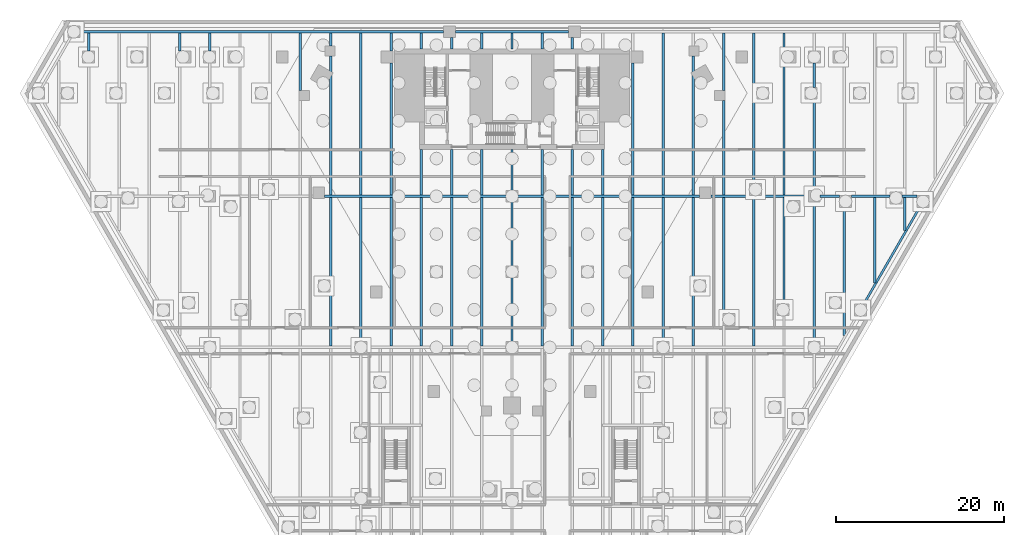
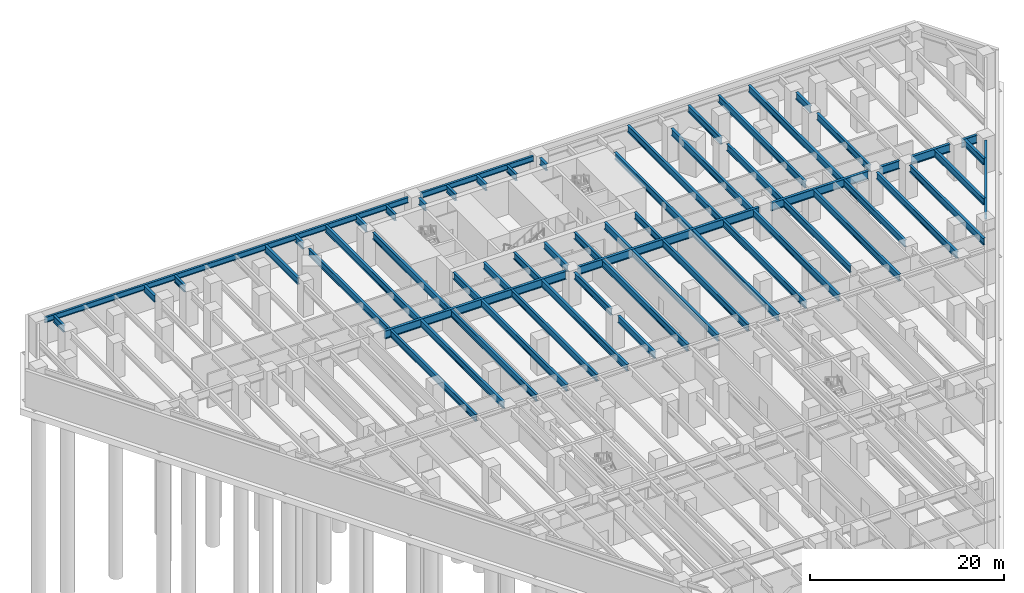
# One storey, part 5 of 18: 61 beams.
"""IFC4 building model written with IfcOpenShell, lengths in metres."""

from ifc_helpers import new_model, si_unit, direction, frame, origin, origin_2d, place, context, subcontext, project, spatial, i_section, extrude, material, material_profile, profile_set, type_object, element, save


model = new_model("IFC4")

# Units and contexts
model_context = context("Model", 3, precision=1e-05, world=origin(), true_north=direction((0.0, 1.0)))
body_context = subcontext(model_context, "Body", "Model", "MODEL_VIEW")
ifc_project = project(units=[si_unit("LENGTHUNIT", "METRE"), si_unit("AREAUNIT", "SQUARE_METRE"), si_unit("VOLUMEUNIT", "CUBIC_METRE"), si_unit("PLANEANGLEUNIT", "RADIAN"), si_unit("MASSUNIT", "GRAM", prefix="KILO")], contexts=[model_context])

# Site, building, storey
site_placement = place(None, origin())
site = spatial("IfcSite", under=ifc_project, at=site_placement, CompositionType="ELEMENT")
building_placement = place(site_placement, origin())
building = spatial("IfcBuilding", under=site, at=building_placement, Name="Aloe Facet Convention Tower", CompositionType="ELEMENT")
storey_placement = place(building_placement, frame((0.0, 0.0, -9.0)))
storey = spatial("IfcBuildingStorey", under=building, at=storey_placement, Name="B2", CompositionType="ELEMENT", Elevation=-9.0)

# Beams
ifc_material_1 = material(Name="Steel S355", Category="steel")
ifc_material_profile_1 = material_profile(ifc_material_1, i_section(OverallWidth=0.305419921875, OverallDepth=1.02587890625, WebThickness=0.02001953125, FlangeThickness=0.031005859375, FilletRadius=0.030029296875, at=origin_2d()), Name="UB 1016x305x349")
ifc_profile_set_1 = profile_set([ifc_material_profile_1], Name="Steel S355")
beam_type_1 = type_object("IfcBeamType", Name="SF-B-UB1016x305x349", PredefinedType="BEAM", material=ifc_profile_set_1)
for number, where, z_axis, x_axis, name in (
    (1, (57.68408203125, 117.0, 3.737060546875), (1.0, 0.0, 0.0), (0.0, 1.0, 0.0), "Floor beam FB-B1-028"),
    (2, (80.699951171875, 117.0, 3.737060546875), (1.0, 0.0, 0.0), (0.0, 1.0, 0.0), "Floor beam FB-B1-038"),
):
    element("IfcBeam", number, at=place(storey_placement, frame(where, z_axis=z_axis, x_axis=x_axis)), inside=storey, type_object=beam_type_1, Name=name, PredefinedType="BEAM", context=body_context, shape_type="SweptSolid", body=[
        extrude(i_section(OverallWidth=0.305419921875, OverallDepth=1.02587890625, WebThickness=0.02001953125, FlangeThickness=0.031005859375, FilletRadius=0.030029296875, at=origin_2d()), origin(), (0.0, 0.0, 1.0), 21.615966796875),
    ])
beam_1_placement = place(storey_placement, frame((103.716064453125, 117.0, 3.737060546875), z_axis=(1.0, 0.0, 0.0), x_axis=(0.0, 1.0, 0.0)))
element("IfcBeam", 3, at=beam_1_placement, inside=storey, type_object=beam_type_1, Name="Floor beam FB-B1-042", PredefinedType="BEAM", context=body_context, shape_type="SweptSolid", body=[
    extrude(i_section(OverallWidth=0.305419921875, OverallDepth=1.02587890625, WebThickness=0.02001953125, FlangeThickness=0.031005859375, FilletRadius=0.030029296875, at=origin_2d()), origin(), (0.0, 0.0, 1.0), 11.583984375),
])
beam_2_placement = place(storey_placement, frame((116.699951171875, 117.0, 3.737060546875), z_axis=(1.0, 0.0, 0.0), x_axis=(0.0, 1.0, 0.0)))
element("IfcBeam", 4, at=beam_2_placement, inside=storey, type_object=beam_type_1, Name="Floor beam FB-B1-044", PredefinedType="BEAM", context=body_context, shape_type="SweptSolid", body=[
    extrude(i_section(OverallWidth=0.305419921875, OverallDepth=1.02587890625, WebThickness=0.02001953125, FlangeThickness=0.031005859375, FilletRadius=0.030029296875, at=origin_2d()), origin(), (0.0, 0.0, 1.0), 2.330078125),
])
beam_3_placement = place(storey_placement, frame((120.429931640625, 117.0, 3.737060546875), z_axis=(1.0, 0.0, 0.0), x_axis=(0.0, 1.0, 0.0)))
element("IfcBeam", 5, at=beam_3_placement, inside=storey, type_object=beam_type_1, Name="Floor beam FB-B1-045", PredefinedType="BEAM", context=body_context, shape_type="SweptSolid", body=[
    extrude(i_section(OverallWidth=0.305419921875, OverallDepth=1.02587890625, WebThickness=0.02001953125, FlangeThickness=0.031005859375, FilletRadius=0.030029296875, at=origin_2d()), origin(), (0.0, 0.0, 1.0), 4.612060546875),
])
beam_4_placement = place(storey_placement, frame((126.44189453125, 117.0, 3.737060546875), z_axis=(1.0, 0.0, 0.0), x_axis=(0.0, 1.0, 0.0)))
element("IfcBeam", 6, at=beam_4_placement, inside=storey, type_object=beam_type_1, Name="Floor beam FB-B1-046", PredefinedType="BEAM", context=body_context, shape_type="SweptSolid", body=[
    extrude(i_section(OverallWidth=0.305419921875, OverallDepth=1.02587890625, WebThickness=0.02001953125, FlangeThickness=0.031005859375, FilletRadius=0.030029296875, at=origin_2d()), origin(), (0.0, 0.0, 1.0), 1.817138671875),
])
ifc_material_2 = material(Name="Steel S355", Category="steel")
ifc_material_profile_2 = material_profile(ifc_material_2, i_section(OverallWidth=0.25439453125, OverallDepth=0.6875, WebThickness=0.01318359375, FlangeThickness=0.02099609375, FilletRadius=0.01513671875, at=origin_2d()), Name="UB 686x254x152")
ifc_profile_set_2 = profile_set([ifc_material_profile_2], Name="Steel S355")
beam_type_2 = type_object("IfcBeamType", Name="SF-B-UB686x254x152", PredefinedType="BEAM", material=ifc_profile_set_2)
beam_5_placement = place(storey_placement, frame((28.509033203125, 136.60009765625, 3.90625), z_axis=(1.0, 0.0, 0.0), x_axis=(0.0, 1.0, 0.0)))
element("IfcBeam", 7, at=beam_5_placement, inside=storey, type_object=beam_type_2, Name="Floor beam FB-B1-002", PredefinedType="BEAM", context=body_context, shape_type="SweptSolid", body=[
    extrude(i_section(OverallWidth=0.25439453125, OverallDepth=0.6875, WebThickness=0.01318359375, FlangeThickness=0.02099609375, FilletRadius=0.01513671875, at=origin_2d()), origin(), (0.0, 0.0, 1.0), 43.3349609375),
])
beam_6_placement = place(storey_placement, frame((73.243896484375, 136.60009765625, 3.90625), z_axis=(1.0, 0.0, 0.0), x_axis=(0.0, 1.0, 0.0)))
element("IfcBeam", 8, at=beam_6_placement, inside=storey, type_object=beam_type_2, Name="Floor beam FB-B1-009", PredefinedType="BEAM", context=body_context, shape_type="SweptSolid", body=[
    extrude(i_section(OverallWidth=0.25439453125, OverallDepth=0.6875, WebThickness=0.01318359375, FlangeThickness=0.02099609375, FilletRadius=0.01513671875, at=origin_2d()), origin(), (0.0, 0.0, 1.0), 13.51220703125),
])
beam_7_placement = place(storey_placement, frame((128.554931640625, 115.669921875, 3.90625), z_axis=(-0.50000804238, -0.866020760464, 0.0), x_axis=(0.866020760464, -0.50000804238, 0.0)))
element("IfcBeam", 9, at=beam_7_placement, inside=storey, type_object=beam_type_2, Name="Floor beam FB-B1-018", PredefinedType="BEAM", context=body_context, shape_type="SweptSolid", body=[
    extrude(i_section(OverallWidth=0.25439453125, OverallDepth=0.6875, WebThickness=0.01318359375, FlangeThickness=0.02099609375, FilletRadius=0.01513671875, at=origin_2d()), origin(), (0.0, 0.0, 1.0), 13.295166015625),
])
ifc_material_3 = material(Name="Steel S355", Category="steel")
ifc_material_profile_3 = material_profile(ifc_material_3, i_section(OverallWidth=0.293701171875, OverallDepth=0.850830078125, WebThickness=0.01611328125, FlangeThickness=0.02685546875, FilletRadius=0.017822265625, at=origin_2d()), Name="UB 838x292x226")
ifc_profile_set_3 = profile_set([ifc_material_profile_3], Name="Steel S355")
beam_type_3 = type_object("IfcBeamType", Name="SF-B-UB838x292x226", PredefinedType="BEAM", material=ifc_profile_set_3)
for number, where, z_axis, x_axis, name in (
    (10, (29.60009765625, 134.300048828125, 3.82470703125), (0.0, 1.0, 0.0), (-1.0, 0.0, 0.0), "Floor beam FB-B1-049"),
    (11, (40.39990234375, 134.300048828125, 3.82470703125), (0.0, 1.0, 0.0), (-1.0, 0.0, 0.0), "Floor beam FB-B1-057"),
    (12, (44.0, 134.300048828125, 3.82470703125), (0.0, 1.0, 0.0), (-1.0, 0.0, 0.0), "Floor beam FB-B1-062"),
):
    element("IfcBeam", number, at=place(storey_placement, frame(where, z_axis=z_axis, x_axis=x_axis)), inside=storey, type_object=beam_type_3, Name=name, PredefinedType="BEAM", context=body_context, shape_type="SweptSolid", body=[
        extrude(i_section(OverallWidth=0.293701171875, OverallDepth=0.850830078125, WebThickness=0.01611328125, FlangeThickness=0.02685546875, FilletRadius=0.017822265625, at=origin_2d()), origin(), (0.0, 0.0, 1.0), 2.16259765625),
    ])
beam_8_placement = place(storey_placement, frame((54.800048828125, 129.6279296875, 3.82470703125), z_axis=(0.0, 1.0, 0.0), x_axis=(-1.0, 0.0, 0.0)))
element("IfcBeam", 13, at=beam_8_placement, inside=storey, type_object=beam_type_3, Name="Floor beam FB-B1-076", PredefinedType="BEAM", context=body_context, shape_type="SweptSolid", body=[
    extrude(i_section(OverallWidth=0.293701171875, OverallDepth=0.850830078125, WebThickness=0.01611328125, FlangeThickness=0.02685546875, FilletRadius=0.017822265625, at=origin_2d()), origin(), (0.0, 0.0, 1.0), 6.834716796875),
])
beam_9_placement = place(storey_placement, frame((58.39990234375, 99.152587890625, 3.82470703125), z_axis=(0.0, 1.0, 0.0), x_axis=(-1.0, 0.0, 0.0)))
element("IfcBeam", 14, at=beam_9_placement, inside=storey, type_object=beam_type_3, Name="Floor beam FB-B1-079", PredefinedType="BEAM", context=body_context, shape_type="SweptSolid", body=[
    extrude(i_section(OverallWidth=0.293701171875, OverallDepth=0.850830078125, WebThickness=0.01611328125, FlangeThickness=0.02685546875, FilletRadius=0.017822265625, at=origin_2d()), origin(), (0.0, 0.0, 1.0), 17.69482421875),
])
beam_10_placement = place(storey_placement, frame((58.39990234375, 117.152587890625, 3.82470703125), z_axis=(0.0, 1.0, 0.0), x_axis=(-1.0, 0.0, 0.0)))
element("IfcBeam", 15, at=beam_10_placement, inside=storey, type_object=beam_type_3, Name="Floor beam FB-B1-080", PredefinedType="BEAM", context=body_context, shape_type="SweptSolid", body=[
    extrude(i_section(OverallWidth=0.293701171875, OverallDepth=0.850830078125, WebThickness=0.01611328125, FlangeThickness=0.02685546875, FilletRadius=0.017822265625, at=origin_2d()), origin(), (0.0, 0.0, 1.0), 16.54736328125),
])
beam_11_placement = place(storey_placement, frame((58.39990234375, 134.89990234375, 3.82470703125), z_axis=(0.0, 1.0, 0.0), x_axis=(-1.0, 0.0, 0.0)))
element("IfcBeam", 16, at=beam_11_placement, inside=storey, type_object=beam_type_3, Name="Floor beam FB-B1-081", PredefinedType="BEAM", context=body_context, shape_type="SweptSolid", body=[
    extrude(i_section(OverallWidth=0.293701171875, OverallDepth=0.850830078125, WebThickness=0.01611328125, FlangeThickness=0.02685546875, FilletRadius=0.017822265625, at=origin_2d()), origin(), (0.0, 0.0, 1.0), 1.562744140625),
])
beam_12_placement = place(storey_placement, frame((62.0, 99.699951171875, 3.82470703125), z_axis=(0.0, 1.0, 0.0), x_axis=(-1.0, 0.0, 0.0)))
element("IfcBeam", 17, at=beam_12_placement, inside=storey, type_object=beam_type_3, Name="Floor beam FB-B1-088", PredefinedType="BEAM", context=body_context, shape_type="SweptSolid", body=[
    extrude(i_section(OverallWidth=0.293701171875, OverallDepth=0.850830078125, WebThickness=0.01611328125, FlangeThickness=0.02685546875, FilletRadius=0.017822265625, at=origin_2d()), origin(), (0.0, 0.0, 1.0), 17.1474609375),
])
beam_13_placement = place(storey_placement, frame((62.0, 117.152587890625, 3.82470703125), z_axis=(0.0, 1.0, 0.0), x_axis=(-1.0, 0.0, 0.0)))
element("IfcBeam", 18, at=beam_13_placement, inside=storey, type_object=beam_type_3, Name="Floor beam FB-B1-089", PredefinedType="BEAM", context=body_context, shape_type="SweptSolid", body=[
    extrude(i_section(OverallWidth=0.293701171875, OverallDepth=0.850830078125, WebThickness=0.01611328125, FlangeThickness=0.02685546875, FilletRadius=0.017822265625, at=origin_2d()), origin(), (0.0, 0.0, 1.0), 19.31005859375),
])
beam_14_placement = place(storey_placement, frame((65.60009765625, 99.152587890625, 3.82470703125), z_axis=(0.0, 1.0, 0.0), x_axis=(-1.0, 0.0, 0.0)))
element("IfcBeam", 19, at=beam_14_placement, inside=storey, type_object=beam_type_3, Name="Floor beam FB-B1-094", PredefinedType="BEAM", context=body_context, shape_type="SweptSolid", body=[
    extrude(i_section(OverallWidth=0.293701171875, OverallDepth=0.850830078125, WebThickness=0.01611328125, FlangeThickness=0.02685546875, FilletRadius=0.017822265625, at=origin_2d()), origin(), (0.0, 0.0, 1.0), 17.69482421875),
])
beam_15_placement = place(storey_placement, frame((65.60009765625, 117.152587890625, 3.82470703125), z_axis=(0.0, 1.0, 0.0), x_axis=(-1.0, 0.0, 0.0)))
element("IfcBeam", 20, at=beam_15_placement, inside=storey, type_object=beam_type_3, Name="Floor beam FB-B1-095", PredefinedType="BEAM", context=body_context, shape_type="SweptSolid", body=[
    extrude(i_section(OverallWidth=0.293701171875, OverallDepth=0.850830078125, WebThickness=0.01611328125, FlangeThickness=0.02685546875, FilletRadius=0.017822265625, at=origin_2d()), origin(), (0.0, 0.0, 1.0), 15.747314453125),
])
beam_16_placement = place(storey_placement, frame((65.60009765625, 134.300048828125, 3.82470703125), z_axis=(0.0, 1.0, 0.0), x_axis=(-1.0, 0.0, 0.0)))
element("IfcBeam", 21, at=beam_16_placement, inside=storey, type_object=beam_type_3, Name="Floor beam FB-B1-096", PredefinedType="BEAM", context=body_context, shape_type="SweptSolid", body=[
    extrude(i_section(OverallWidth=0.293701171875, OverallDepth=0.850830078125, WebThickness=0.01611328125, FlangeThickness=0.02685546875, FilletRadius=0.017822265625, at=origin_2d()), origin(), (0.0, 0.0, 1.0), 2.16259765625),
])
beam_17_placement = place(storey_placement, frame((69.199951171875, 99.152587890625, 3.82470703125), z_axis=(0.0, 1.0, 0.0), x_axis=(-1.0, 0.0, 0.0)))
element("IfcBeam", 22, at=beam_17_placement, inside=storey, type_object=beam_type_3, Name="Floor beam FB-B1-102", PredefinedType="BEAM", context=body_context, shape_type="SweptSolid", body=[
    extrude(i_section(OverallWidth=0.293701171875, OverallDepth=0.850830078125, WebThickness=0.01611328125, FlangeThickness=0.02685546875, FilletRadius=0.017822265625, at=origin_2d()), origin(), (0.0, 0.0, 1.0), 17.69482421875),
])
beam_18_placement = place(storey_placement, frame((69.199951171875, 117.152587890625, 3.82470703125), z_axis=(0.0, 1.0, 0.0), x_axis=(-1.0, 0.0, 0.0)))
element("IfcBeam", 23, at=beam_18_placement, inside=storey, type_object=beam_type_3, Name="Floor beam FB-B1-103", PredefinedType="BEAM", context=body_context, shape_type="SweptSolid", body=[
    extrude(i_section(OverallWidth=0.293701171875, OverallDepth=0.850830078125, WebThickness=0.01611328125, FlangeThickness=0.02685546875, FilletRadius=0.017822265625, at=origin_2d()), origin(), (0.0, 0.0, 1.0), 5.3974609375),
])
beam_19_placement = place(storey_placement, frame((69.199951171875, 134.550048828125, 3.82470703125), z_axis=(0.0, 1.0, 0.0), x_axis=(-1.0, 0.0, 0.0)))
element("IfcBeam", 24, at=beam_19_placement, inside=storey, type_object=beam_type_3, Name="Floor beam FB-B1-104", PredefinedType="BEAM", context=body_context, shape_type="SweptSolid", body=[
    extrude(i_section(OverallWidth=0.293701171875, OverallDepth=0.850830078125, WebThickness=0.01611328125, FlangeThickness=0.02685546875, FilletRadius=0.017822265625, at=origin_2d()), origin(), (0.0, 0.0, 1.0), 1.91259765625),
])
beam_20_placement = place(storey_placement, frame((72.800048828125, 99.152587890625, 3.82470703125), z_axis=(0.0, 1.0, 0.0), x_axis=(-1.0, 0.0, 0.0)))
element("IfcBeam", 25, at=beam_20_placement, inside=storey, type_object=beam_type_3, Name="Floor beam FB-B1-108", PredefinedType="BEAM", context=body_context, shape_type="SweptSolid", body=[
    extrude(i_section(OverallWidth=0.293701171875, OverallDepth=0.850830078125, WebThickness=0.01611328125, FlangeThickness=0.02685546875, FilletRadius=0.017822265625, at=origin_2d()), origin(), (0.0, 0.0, 1.0), 17.69482421875),
])
beam_21_placement = place(storey_placement, frame((72.800048828125, 117.152587890625, 3.82470703125), z_axis=(0.0, 1.0, 0.0), x_axis=(-1.0, 0.0, 0.0)))
element("IfcBeam", 26, at=beam_21_placement, inside=storey, type_object=beam_type_3, Name="Floor beam FB-B1-109", PredefinedType="BEAM", context=body_context, shape_type="SweptSolid", body=[
    extrude(i_section(OverallWidth=0.293701171875, OverallDepth=0.850830078125, WebThickness=0.01611328125, FlangeThickness=0.02685546875, FilletRadius=0.017822265625, at=origin_2d()), origin(), (0.0, 0.0, 1.0), 5.3974609375),
])
beam_22_placement = place(storey_placement, frame((72.800048828125, 134.550048828125, 3.82470703125), z_axis=(0.0, 1.0, 0.0), x_axis=(-1.0, 0.0, 0.0)))
element("IfcBeam", 27, at=beam_22_placement, inside=storey, type_object=beam_type_3, Name="Floor beam FB-B1-110", PredefinedType="BEAM", context=body_context, shape_type="SweptSolid", body=[
    extrude(i_section(OverallWidth=0.293701171875, OverallDepth=0.850830078125, WebThickness=0.01611328125, FlangeThickness=0.02685546875, FilletRadius=0.017822265625, at=origin_2d()), origin(), (0.0, 0.0, 1.0), 1.349853515625),
])
beam_23_placement = place(storey_placement, frame((76.39990234375, 99.152587890625, 3.82470703125), z_axis=(0.0, 1.0, 0.0), x_axis=(-1.0, 0.0, 0.0)))
element("IfcBeam", 28, at=beam_23_placement, inside=storey, type_object=beam_type_3, Name="Floor beam FB-B1-116", PredefinedType="BEAM", context=body_context, shape_type="SweptSolid", body=[
    extrude(i_section(OverallWidth=0.293701171875, OverallDepth=0.850830078125, WebThickness=0.01611328125, FlangeThickness=0.02685546875, FilletRadius=0.017822265625, at=origin_2d()), origin(), (0.0, 0.0, 1.0), 17.69482421875),
])
beam_24_placement = place(storey_placement, frame((76.39990234375, 117.152587890625, 3.82470703125), z_axis=(0.0, 1.0, 0.0), x_axis=(-1.0, 0.0, 0.0)))
element("IfcBeam", 29, at=beam_24_placement, inside=storey, type_object=beam_type_3, Name="Floor beam FB-B1-117", PredefinedType="BEAM", context=body_context, shape_type="SweptSolid", body=[
    extrude(i_section(OverallWidth=0.293701171875, OverallDepth=0.850830078125, WebThickness=0.01611328125, FlangeThickness=0.02685546875, FilletRadius=0.017822265625, at=origin_2d()), origin(), (0.0, 0.0, 1.0), 5.3974609375),
])
beam_25_placement = place(storey_placement, frame((76.39990234375, 134.550048828125, 3.82470703125), z_axis=(0.0, 1.0, 0.0), x_axis=(-1.0, 0.0, 0.0)))
element("IfcBeam", 30, at=beam_25_placement, inside=storey, type_object=beam_type_3, Name="Floor beam FB-B1-118", PredefinedType="BEAM", context=body_context, shape_type="SweptSolid", body=[
    extrude(i_section(OverallWidth=0.293701171875, OverallDepth=0.850830078125, WebThickness=0.01611328125, FlangeThickness=0.02685546875, FilletRadius=0.017822265625, at=origin_2d()), origin(), (0.0, 0.0, 1.0), 1.91259765625),
])
for number, where, z_axis, x_axis, name in (
    (31, (80.0, 99.699951171875, 3.82470703125), (0.0, 1.0, 0.0), (-1.0, 0.0, 0.0), "Floor beam FB-B1-123"),
    (32, (80.0, 108.699951171875, 3.82470703125), (0.0, 1.0, 0.0), (-1.0, 0.0, 0.0), "Floor beam FB-B1-124"),
):
    element("IfcBeam", number, at=place(storey_placement, frame(where, z_axis=z_axis, x_axis=x_axis)), inside=storey, type_object=beam_type_3, Name=name, PredefinedType="BEAM", context=body_context, shape_type="SweptSolid", body=[
        extrude(i_section(OverallWidth=0.293701171875, OverallDepth=0.850830078125, WebThickness=0.01611328125, FlangeThickness=0.02685546875, FilletRadius=0.017822265625, at=origin_2d()), origin(), (0.0, 0.0, 1.0), 7.60009765625),
    ])
beam_26_placement = place(storey_placement, frame((80.0, 117.699951171875, 3.82470703125), z_axis=(0.0, 1.0, 0.0), x_axis=(-1.0, 0.0, 0.0)))
element("IfcBeam", 33, at=beam_26_placement, inside=storey, type_object=beam_type_3, Name="Floor beam FB-B1-125", PredefinedType="BEAM", context=body_context, shape_type="SweptSolid", body=[
    extrude(i_section(OverallWidth=0.293701171875, OverallDepth=0.850830078125, WebThickness=0.01611328125, FlangeThickness=0.02685546875, FilletRadius=0.017822265625, at=origin_2d()), origin(), (0.0, 0.0, 1.0), 4.85009765625),
])
beam_27_placement = place(storey_placement, frame((80.0, 134.550048828125, 3.82470703125), z_axis=(0.0, 1.0, 0.0), x_axis=(-1.0, 0.0, 0.0)))
element("IfcBeam", 34, at=beam_27_placement, inside=storey, type_object=beam_type_3, Name="Floor beam FB-B1-126", PredefinedType="BEAM", context=body_context, shape_type="SweptSolid", body=[
    extrude(i_section(OverallWidth=0.293701171875, OverallDepth=0.850830078125, WebThickness=0.01611328125, FlangeThickness=0.02685546875, FilletRadius=0.017822265625, at=origin_2d()), origin(), (0.0, 0.0, 1.0), 1.91259765625),
])
beam_28_placement = place(storey_placement, frame((83.60009765625, 99.152587890625, 3.82470703125), z_axis=(0.0, 1.0, 0.0), x_axis=(-1.0, 0.0, 0.0)))
element("IfcBeam", 35, at=beam_28_placement, inside=storey, type_object=beam_type_3, Name="Floor beam FB-B1-132", PredefinedType="BEAM", context=body_context, shape_type="SweptSolid", body=[
    extrude(i_section(OverallWidth=0.293701171875, OverallDepth=0.850830078125, WebThickness=0.01611328125, FlangeThickness=0.02685546875, FilletRadius=0.017822265625, at=origin_2d()), origin(), (0.0, 0.0, 1.0), 17.69482421875),
])
beam_29_placement = place(storey_placement, frame((83.60009765625, 117.152587890625, 3.82470703125), z_axis=(0.0, 1.0, 0.0), x_axis=(-1.0, 0.0, 0.0)))
element("IfcBeam", 36, at=beam_29_placement, inside=storey, type_object=beam_type_3, Name="Floor beam FB-B1-133", PredefinedType="BEAM", context=body_context, shape_type="SweptSolid", body=[
    extrude(i_section(OverallWidth=0.293701171875, OverallDepth=0.850830078125, WebThickness=0.01611328125, FlangeThickness=0.02685546875, FilletRadius=0.017822265625, at=origin_2d()), origin(), (0.0, 0.0, 1.0), 5.3974609375),
])
beam_30_placement = place(storey_placement, frame((83.60009765625, 134.550048828125, 3.82470703125), z_axis=(0.0, 1.0, 0.0), x_axis=(-1.0, 0.0, 0.0)))
element("IfcBeam", 37, at=beam_30_placement, inside=storey, type_object=beam_type_3, Name="Floor beam FB-B1-134", PredefinedType="BEAM", context=body_context, shape_type="SweptSolid", body=[
    extrude(i_section(OverallWidth=0.293701171875, OverallDepth=0.850830078125, WebThickness=0.01611328125, FlangeThickness=0.02685546875, FilletRadius=0.017822265625, at=origin_2d()), origin(), (0.0, 0.0, 1.0), 1.91259765625),
])
beam_31_placement = place(storey_placement, frame((87.199951171875, 99.152587890625, 3.82470703125), z_axis=(0.0, 1.0, 0.0), x_axis=(-1.0, 0.0, 0.0)))
element("IfcBeam", 38, at=beam_31_placement, inside=storey, type_object=beam_type_3, Name="Floor beam FB-B1-138", PredefinedType="BEAM", context=body_context, shape_type="SweptSolid", body=[
    extrude(i_section(OverallWidth=0.293701171875, OverallDepth=0.850830078125, WebThickness=0.01611328125, FlangeThickness=0.02685546875, FilletRadius=0.017822265625, at=origin_2d()), origin(), (0.0, 0.0, 1.0), 17.69482421875),
])
beam_32_placement = place(storey_placement, frame((87.199951171875, 117.152587890625, 3.82470703125), z_axis=(0.0, 1.0, 0.0), x_axis=(-1.0, 0.0, 0.0)))
element("IfcBeam", 39, at=beam_32_placement, inside=storey, type_object=beam_type_3, Name="Floor beam FB-B1-139", PredefinedType="BEAM", context=body_context, shape_type="SweptSolid", body=[
    extrude(i_section(OverallWidth=0.293701171875, OverallDepth=0.850830078125, WebThickness=0.01611328125, FlangeThickness=0.02685546875, FilletRadius=0.017822265625, at=origin_2d()), origin(), (0.0, 0.0, 1.0), 5.3974609375),
])
beam_33_placement = place(storey_placement, frame((87.199951171875, 134.550048828125, 3.82470703125), z_axis=(0.0, 1.0, 0.0), x_axis=(-1.0, 0.0, 0.0)))
element("IfcBeam", 40, at=beam_33_placement, inside=storey, type_object=beam_type_3, Name="Floor beam FB-B1-140", PredefinedType="BEAM", context=body_context, shape_type="SweptSolid", body=[
    extrude(i_section(OverallWidth=0.293701171875, OverallDepth=0.850830078125, WebThickness=0.01611328125, FlangeThickness=0.02685546875, FilletRadius=0.017822265625, at=origin_2d()), origin(), (0.0, 0.0, 1.0), 1.349853515625),
])
beam_34_placement = place(storey_placement, frame((90.800048828125, 99.152587890625, 3.82470703125), z_axis=(0.0, 1.0, 0.0), x_axis=(-1.0, 0.0, 0.0)))
element("IfcBeam", 41, at=beam_34_placement, inside=storey, type_object=beam_type_3, Name="Floor beam FB-B1-147", PredefinedType="BEAM", context=body_context, shape_type="SweptSolid", body=[
    extrude(i_section(OverallWidth=0.293701171875, OverallDepth=0.850830078125, WebThickness=0.01611328125, FlangeThickness=0.02685546875, FilletRadius=0.017822265625, at=origin_2d()), origin(), (0.0, 0.0, 1.0), 17.69482421875),
])
beam_35_placement = place(storey_placement, frame((90.800048828125, 117.152587890625, 3.82470703125), z_axis=(0.0, 1.0, 0.0), x_axis=(-1.0, 0.0, 0.0)))
element("IfcBeam", 42, at=beam_35_placement, inside=storey, type_object=beam_type_3, Name="Floor beam FB-B1-148", PredefinedType="BEAM", context=body_context, shape_type="SweptSolid", body=[
    extrude(i_section(OverallWidth=0.293701171875, OverallDepth=0.850830078125, WebThickness=0.01611328125, FlangeThickness=0.02685546875, FilletRadius=0.017822265625, at=origin_2d()), origin(), (0.0, 0.0, 1.0), 5.3974609375),
])
beam_36_placement = place(storey_placement, frame((94.39990234375, 99.152587890625, 3.82470703125), z_axis=(0.0, 1.0, 0.0), x_axis=(-1.0, 0.0, 0.0)))
element("IfcBeam", 43, at=beam_36_placement, inside=storey, type_object=beam_type_3, Name="Floor beam FB-B1-154", PredefinedType="BEAM", context=body_context, shape_type="SweptSolid", body=[
    extrude(i_section(OverallWidth=0.293701171875, OverallDepth=0.850830078125, WebThickness=0.01611328125, FlangeThickness=0.02685546875, FilletRadius=0.017822265625, at=origin_2d()), origin(), (0.0, 0.0, 1.0), 17.69482421875),
])
beam_37_placement = place(storey_placement, frame((94.39990234375, 117.152587890625, 3.82470703125), z_axis=(0.0, 1.0, 0.0), x_axis=(-1.0, 0.0, 0.0)))
element("IfcBeam", 44, at=beam_37_placement, inside=storey, type_object=beam_type_3, Name="Floor beam FB-B1-155", PredefinedType="BEAM", context=body_context, shape_type="SweptSolid", body=[
    extrude(i_section(OverallWidth=0.293701171875, OverallDepth=0.850830078125, WebThickness=0.01611328125, FlangeThickness=0.02685546875, FilletRadius=0.017822265625, at=origin_2d()), origin(), (0.0, 0.0, 1.0), 15.747314453125),
])
beam_38_placement = place(storey_placement, frame((98.0, 99.699951171875, 3.82470703125), z_axis=(0.0, 1.0, 0.0), x_axis=(-1.0, 0.0, 0.0)))
element("IfcBeam", 45, at=beam_38_placement, inside=storey, type_object=beam_type_3, Name="Floor beam FB-B1-162", PredefinedType="BEAM", context=body_context, shape_type="SweptSolid", body=[
    extrude(i_section(OverallWidth=0.293701171875, OverallDepth=0.850830078125, WebThickness=0.01611328125, FlangeThickness=0.02685546875, FilletRadius=0.017822265625, at=origin_2d()), origin(), (0.0, 0.0, 1.0), 17.1474609375),
])
beam_39_placement = place(storey_placement, frame((98.0, 117.152587890625, 3.82470703125), z_axis=(0.0, 1.0, 0.0), x_axis=(-1.0, 0.0, 0.0)))
element("IfcBeam", 46, at=beam_39_placement, inside=storey, type_object=beam_type_3, Name="Floor beam FB-B1-163", PredefinedType="BEAM", context=body_context, shape_type="SweptSolid", body=[
    extrude(i_section(OverallWidth=0.293701171875, OverallDepth=0.850830078125, WebThickness=0.01611328125, FlangeThickness=0.02685546875, FilletRadius=0.017822265625, at=origin_2d()), origin(), (0.0, 0.0, 1.0), 19.31005859375),
])
beam_40_placement = place(storey_placement, frame((101.60009765625, 99.152587890625, 3.82470703125), z_axis=(0.0, 1.0, 0.0), x_axis=(-1.0, 0.0, 0.0)))
element("IfcBeam", 47, at=beam_40_placement, inside=storey, type_object=beam_type_3, Name="Floor beam FB-B1-166", PredefinedType="BEAM", context=body_context, shape_type="SweptSolid", body=[
    extrude(i_section(OverallWidth=0.293701171875, OverallDepth=0.850830078125, WebThickness=0.01611328125, FlangeThickness=0.02685546875, FilletRadius=0.017822265625, at=origin_2d()), origin(), (0.0, 0.0, 1.0), 17.69482421875),
])
beam_41_placement = place(storey_placement, frame((101.60009765625, 117.152587890625, 3.82470703125), z_axis=(0.0, 1.0, 0.0), x_axis=(-1.0, 0.0, 0.0)))
element("IfcBeam", 48, at=beam_41_placement, inside=storey, type_object=beam_type_3, Name="Floor beam FB-B1-167", PredefinedType="BEAM", context=body_context, shape_type="SweptSolid", body=[
    extrude(i_section(OverallWidth=0.293701171875, OverallDepth=0.850830078125, WebThickness=0.01611328125, FlangeThickness=0.02685546875, FilletRadius=0.017822265625, at=origin_2d()), origin(), (0.0, 0.0, 1.0), 16.54736328125),
])
beam_42_placement = place(storey_placement, frame((105.199951171875, 103.02490234375, 3.82470703125), z_axis=(0.0, 1.0, 0.0), x_axis=(-1.0, 0.0, 0.0)))
element("IfcBeam", 49, at=beam_42_placement, inside=storey, type_object=beam_type_3, Name="Floor beam FB-B1-173", PredefinedType="BEAM", context=body_context, shape_type="SweptSolid", body=[
    extrude(i_section(OverallWidth=0.293701171875, OverallDepth=0.850830078125, WebThickness=0.01611328125, FlangeThickness=0.02685546875, FilletRadius=0.017822265625, at=origin_2d()), origin(), (0.0, 0.0, 1.0), 13.822509765625),
])
beam_43_placement = place(storey_placement, frame((105.199951171875, 117.152587890625, 3.82470703125), z_axis=(0.0, 1.0, 0.0), x_axis=(-1.0, 0.0, 0.0)))
element("IfcBeam", 50, at=beam_43_placement, inside=storey, type_object=beam_type_3, Name="Floor beam FB-B1-174", PredefinedType="BEAM", context=body_context, shape_type="SweptSolid", body=[
    extrude(i_section(OverallWidth=0.293701171875, OverallDepth=0.850830078125, WebThickness=0.01611328125, FlangeThickness=0.02685546875, FilletRadius=0.017822265625, at=origin_2d()), origin(), (0.0, 0.0, 1.0), 11.275390625),
])
beam_44_placement = place(storey_placement, frame((105.199951171875, 129.6279296875, 3.82470703125), z_axis=(0.0, 1.0, 0.0), x_axis=(-1.0, 0.0, 0.0)))
element("IfcBeam", 51, at=beam_44_placement, inside=storey, type_object=beam_type_3, Name="Floor beam FB-B1-175", PredefinedType="BEAM", context=body_context, shape_type="SweptSolid", body=[
    extrude(i_section(OverallWidth=0.293701171875, OverallDepth=0.850830078125, WebThickness=0.01611328125, FlangeThickness=0.02685546875, FilletRadius=0.017822265625, at=origin_2d()), origin(), (0.0, 0.0, 1.0), 6.834716796875),
])
beam_45_placement = place(storey_placement, frame((108.800048828125, 99.152587890625, 3.82470703125), z_axis=(0.0, 1.0, 0.0), x_axis=(-1.0, 0.0, 0.0)))
element("IfcBeam", 52, at=beam_45_placement, inside=storey, type_object=beam_type_3, Name="Floor beam FB-B1-177", PredefinedType="BEAM", context=body_context, shape_type="SweptSolid", body=[
    extrude(i_section(OverallWidth=0.293701171875, OverallDepth=0.850830078125, WebThickness=0.01611328125, FlangeThickness=0.02685546875, FilletRadius=0.017822265625, at=origin_2d()), origin(), (0.0, 0.0, 1.0), 17.69482421875),
])
beam_46_placement = place(storey_placement, frame((108.800048828125, 118.5048828125, 3.82470703125), z_axis=(0.0, 1.0, 0.0), x_axis=(-1.0, 0.0, 0.0)))
element("IfcBeam", 53, at=beam_46_placement, inside=storey, type_object=beam_type_3, Name="Floor beam FB-B1-178", PredefinedType="BEAM", context=body_context, shape_type="SweptSolid", body=[
    extrude(i_section(OverallWidth=0.293701171875, OverallDepth=0.850830078125, WebThickness=0.01611328125, FlangeThickness=0.02685546875, FilletRadius=0.017822265625, at=origin_2d()), origin(), (0.0, 0.0, 1.0), 17.957763671875),
])
beam_47_placement = place(storey_placement, frame((112.39990234375, 104.18505859375, 3.82470703125), z_axis=(0.0, 1.0, 0.0), x_axis=(-1.0, 0.0, 0.0)))
element("IfcBeam", 54, at=beam_47_placement, inside=storey, type_object=beam_type_3, Name="Floor beam FB-B1-181", PredefinedType="BEAM", context=body_context, shape_type="SweptSolid", body=[
    extrude(i_section(OverallWidth=0.293701171875, OverallDepth=0.850830078125, WebThickness=0.01611328125, FlangeThickness=0.02685546875, FilletRadius=0.017822265625, at=origin_2d()), origin(), (0.0, 0.0, 1.0), 12.662353515625),
])
beam_48_placement = place(storey_placement, frame((112.39990234375, 117.152587890625, 3.82470703125), z_axis=(0.0, 1.0, 0.0), x_axis=(-1.0, 0.0, 0.0)))
element("IfcBeam", 55, at=beam_48_placement, inside=storey, type_object=beam_type_3, Name="Floor beam FB-B1-182", PredefinedType="BEAM", context=body_context, shape_type="SweptSolid", body=[
    extrude(i_section(OverallWidth=0.293701171875, OverallDepth=0.850830078125, WebThickness=0.01611328125, FlangeThickness=0.02685546875, FilletRadius=0.017822265625, at=origin_2d()), origin(), (0.0, 0.0, 1.0), 19.31005859375),
])
beam_49_placement = place(storey_placement, frame((116.0, 99.699951171875, 3.82470703125), z_axis=(0.0, 1.0, 0.0), x_axis=(-1.0, 0.0, 0.0)))
element("IfcBeam", 56, at=beam_49_placement, inside=storey, type_object=beam_type_3, Name="Floor beam FB-B1-184", PredefinedType="BEAM", context=body_context, shape_type="SweptSolid", body=[
    extrude(i_section(OverallWidth=0.293701171875, OverallDepth=0.850830078125, WebThickness=0.01611328125, FlangeThickness=0.02685546875, FilletRadius=0.017822265625, at=origin_2d()), origin(), (0.0, 0.0, 1.0), 16.60009765625),
])
beam_50_placement = place(storey_placement, frame((116.0, 117.699951171875, 3.82470703125), z_axis=(0.0, 1.0, 0.0), x_axis=(-1.0, 0.0, 0.0)))
element("IfcBeam", 57, at=beam_50_placement, inside=storey, type_object=beam_type_3, Name="Floor beam FB-B1-185", PredefinedType="BEAM", context=body_context, shape_type="SweptSolid", body=[
    extrude(i_section(OverallWidth=0.293701171875, OverallDepth=0.850830078125, WebThickness=0.01611328125, FlangeThickness=0.02685546875, FilletRadius=0.017822265625, at=origin_2d()), origin(), (0.0, 0.0, 1.0), 10.884033203125),
])
beam_51_placement = place(storey_placement, frame((116.0, 129.98388671875, 3.82470703125), z_axis=(0.0, 1.0, 0.0), x_axis=(-1.0, 0.0, 0.0)))
element("IfcBeam", 58, at=beam_51_placement, inside=storey, type_object=beam_type_3, Name="Floor beam FB-B1-186", PredefinedType="BEAM", context=body_context, shape_type="SweptSolid", body=[
    extrude(i_section(OverallWidth=0.293701171875, OverallDepth=0.850830078125, WebThickness=0.01611328125, FlangeThickness=0.02685546875, FilletRadius=0.017822265625, at=origin_2d()), origin(), (0.0, 0.0, 1.0), 2.916015625),
])
beam_52_placement = place(storey_placement, frame((119.60009765625, 100.42431640625, 3.82470703125), z_axis=(0.0, 1.0, 0.0), x_axis=(-1.0, 0.0, 0.0)))
element("IfcBeam", 59, at=beam_52_placement, inside=storey, type_object=beam_type_3, Name="Floor beam FB-B1-188", PredefinedType="BEAM", context=body_context, shape_type="SweptSolid", body=[
    extrude(i_section(OverallWidth=0.293701171875, OverallDepth=0.850830078125, WebThickness=0.01611328125, FlangeThickness=0.02685546875, FilletRadius=0.017822265625, at=origin_2d()), origin(), (0.0, 0.0, 1.0), 15.2607421875),
])
beam_53_placement = place(storey_placement, frame((123.199951171875, 106.65966796875, 3.82470703125), z_axis=(0.0, 1.0, 0.0), x_axis=(-1.0, 0.0, 0.0)))
element("IfcBeam", 60, at=beam_53_placement, inside=storey, type_object=beam_type_3, Name="Floor beam FB-B1-191", PredefinedType="BEAM", context=body_context, shape_type="SweptSolid", body=[
    extrude(i_section(OverallWidth=0.293701171875, OverallDepth=0.850830078125, WebThickness=0.01611328125, FlangeThickness=0.02685546875, FilletRadius=0.017822265625, at=origin_2d()), origin(), (0.0, 0.0, 1.0), 10.187744140625),
])
beam_54_placement = place(storey_placement, frame((126.800048828125, 112.89501953125, 3.82470703125), z_axis=(0.0, 1.0, 0.0), x_axis=(-1.0, 0.0, 0.0)))
element("IfcBeam", 61, at=beam_54_placement, inside=storey, type_object=beam_type_3, Name="Floor beam FB-B1-193", PredefinedType="BEAM", context=body_context, shape_type="SweptSolid", body=[
    extrude(i_section(OverallWidth=0.293701171875, OverallDepth=0.850830078125, WebThickness=0.01611328125, FlangeThickness=0.02685546875, FilletRadius=0.017822265625, at=origin_2d()), origin(), (0.0, 0.0, 1.0), 3.952392578125),
])

save(model, "model.ifc")
